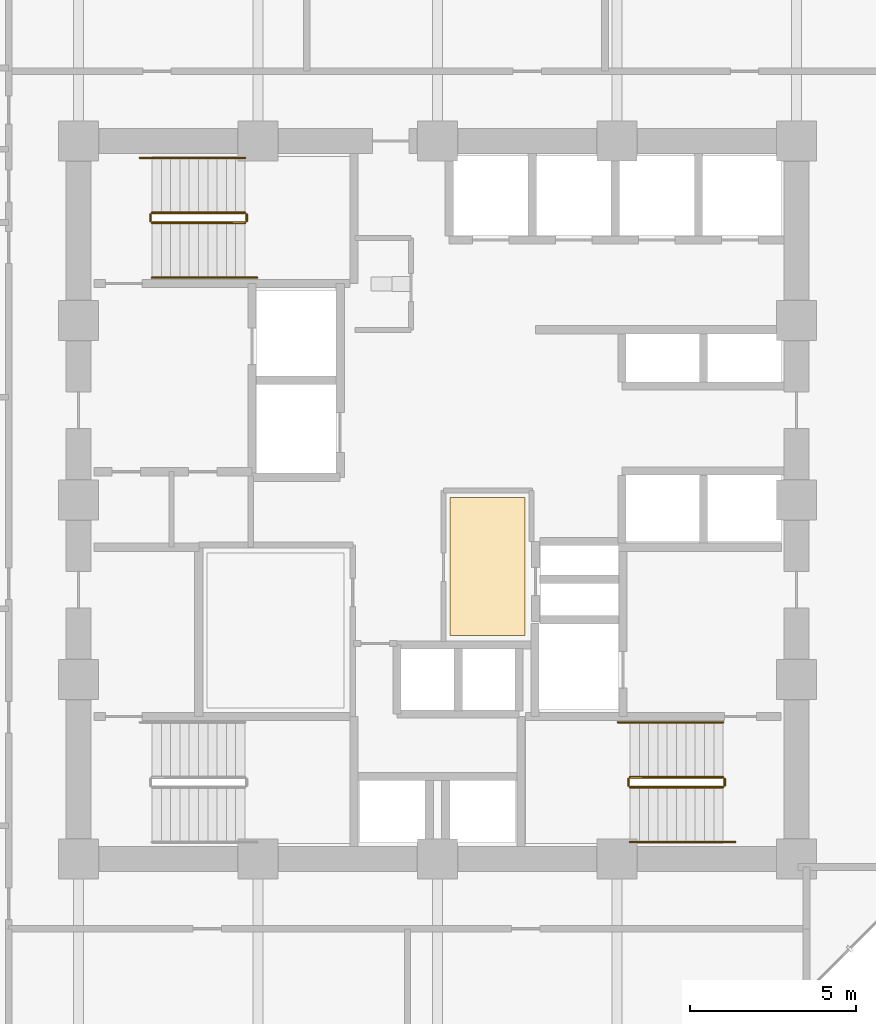
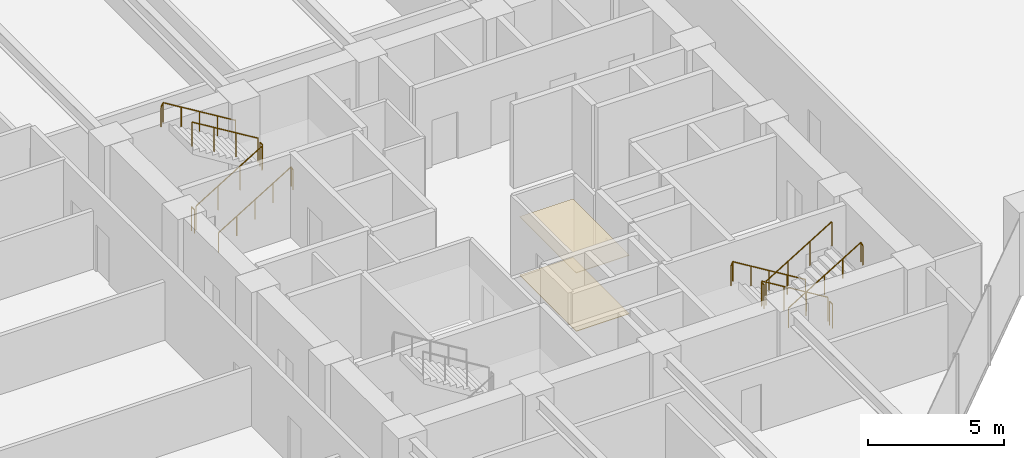
# One storey, part 24 of 26: 12 railings, 2 coverings.
"""IFC4 building model written with IfcOpenShell, lengths in metres."""

from ifc_helpers import new_model, si_unit, direction, frame, origin, origin_2d, place, context, subcontext, project, spatial, polyline, circle, outline, extrude, material, layer, layer_set, type_object, element, save


model = new_model("IFC4")

# Units and contexts
model_context = context("Model", 3, precision=1e-05, world=origin(), true_north=direction((0.0, 1.0)))
body_context = subcontext(model_context, "Body", "Model", "MODEL_VIEW")
ifc_project = project(units=[si_unit("LENGTHUNIT", "METRE"), si_unit("AREAUNIT", "SQUARE_METRE"), si_unit("VOLUMEUNIT", "CUBIC_METRE"), si_unit("PLANEANGLEUNIT", "RADIAN"), si_unit("MASSUNIT", "GRAM", prefix="KILO")], contexts=[model_context])

# Site, building, storey
site_placement = place(None, origin())
site = spatial("IfcSite", under=ifc_project, at=site_placement, CompositionType="ELEMENT")
building_placement = place(site_placement, origin())
building = spatial("IfcBuilding", under=site, at=building_placement, Name="Surkhivell Harbour Commons", CompositionType="ELEMENT")
storey_placement = place(building_placement, frame((0.0, 0.0, 60.0)))
storey = spatial("IfcBuildingStorey", under=building, at=storey_placement, Name="L15", CompositionType="ELEMENT", Elevation=60.0)

# Coverings
ifc_material_1 = material(Name="Perforated acoustic mineral-fibre ceiling tile", Category="other")
ifc_layer_1 = layer(ifc_material_1, 0.02490234375)
ifc_layer_set_1 = layer_set([ifc_layer_1], Name="Perforated acoustic mineral-fibre ceiling tile")
covering_type_1 = type_object("IfcCoveringType", Name="COV-CEIL-AC", PredefinedType="CEILING", material=ifc_layer_set_1)
covering_1_placement = place(storey_placement, frame((0.0, 0.0, 2.617919921875)))
element("IfcCovering", 1, at=covering_1_placement, inside=storey, type_object=covering_type_1, Name="L15 Suspended Acoustic Ceiling 1", PredefinedType="CEILING", context=body_context, shape_type="SweptSolid", body=[
    extrude(outline(polyline([(0.3701171875, -4.080078125), (2.6298828125, -4.080078125), (2.6298828125, 0.080078125), (0.3701171875, 0.080078125), (0.3701171875, -4.080078125)])), origin(), (0.0, 0.0, 1.0), 0.025146484375),
])
ifc_material_2 = material(Name="Engineered acoustic oak timber flooring", Category="wood")
ifc_layer_2 = layer(ifc_material_2, 0.02001953125)
ifc_layer_set_2 = layer_set([ifc_layer_2], Name="Engineered acoustic oak timber flooring")
covering_type_2 = type_object("IfcCoveringType", Name="COV-FLR-TIM", PredefinedType="FLOORING", material=ifc_layer_set_2)
covering_2_placement = place(storey_placement, origin())
element("IfcCovering", 2, at=covering_2_placement, inside=storey, type_object=covering_type_2, Name="L15 Interior Floor Finish 1", PredefinedType="FLOORING", context=body_context, shape_type="SweptSolid", body=[
    extrude(outline(polyline([(0.3701171875, -4.080078125), (2.6298828125, -4.080078125), (2.6298828125, 0.080078125), (0.3701171875, 0.080078125), (0.3701171875, -4.080078125)])), origin(), (0.0, 0.0, 1.0), 0.02001953125),
])

# Railings
ifc_material_3 = material(Name="Galvanised and painted steel S355 guard rail", Category="steel")
railing_type_1 = type_object("IfcRailingType", Name="RAL-ST-GRD1100", PredefinedType="GUARDRAIL", material=ifc_material_3)
railing_1_placement = place(storey_placement, frame((-8.590087890625, 8.340087890625, 0.17041015625)))
element("IfcRailing", 3, at=railing_1_placement, inside=storey, type_object=railing_type_1, Name="L15 ST1 stair guard 1", PredefinedType="GUARDRAIL", context=body_context, shape_type="SweptSolid", body=[
    extrude(circle(Radius=0.02392578125, at=origin_2d()), frame((0.0, 0.0, 1.076171875), z_axis=(0.854169791009, 0.0, 0.51999420009), x_axis=(0.0, 1.0, 0.0)), (0.0, 0.0, 1.0), 3.278076171875),
    extrude(circle(Radius=0.02099609375, at=origin_2d()), origin(), (0.0, 0.0, 1.0), 1.052001953125),
    extrude(circle(Radius=0.02099609375, at=origin_2d()), frame((0.933349609375, 0.0, 0.568115234375)), (0.0, 0.0, 1.0), 1.052001953125),
    extrude(circle(Radius=0.02099609375, at=origin_2d()), frame((1.86669921875, 0.0, 1.136474609375)), (0.0, 0.0, 1.0), 1.052001953125),
    extrude(circle(Radius=0.02099609375, at=origin_2d()), frame((2.800048828125, 0.0, 1.70458984375)), (0.0, 0.0, 1.0), 1.052001953125),
])
railing_2_placement = place(storey_placement, frame((-5.739990234375, 8.389892578125, 1.875)))
element("IfcRailing", 4, at=railing_2_placement, inside=storey, type_object=railing_type_1, Name="L15 ST1 stair guard 2", PredefinedType="GUARDRAIL", context=body_context, shape_type="SweptSolid", body=[
    extrude(circle(Radius=0.02392578125, at=origin_2d()), frame((0.0, 0.0, 1.076171875), z_axis=(0.0, 1.0, 0.0), x_axis=(-1.0, 0.0, 0.0)), (0.0, 0.0, 1.0), 0.2001953125),
    extrude(circle(Radius=0.02099609375, at=origin_2d()), origin(), (0.0, 0.0, 1.0), 1.052001953125),
    extrude(circle(Radius=0.02099609375, at=origin_2d()), frame((0.0, 0.2001953125, 0.0)), (0.0, 0.0, 1.0), 1.052001953125),
])
railing_3_placement = place(storey_placement, frame((-5.7900390625, 8.639892578125, 2.04541015625)))
element("IfcRailing", 5, at=railing_3_placement, inside=storey, type_object=railing_type_1, Name="L15 ST1 stair guard 3", PredefinedType="GUARDRAIL", context=body_context, shape_type="SweptSolid", body=[
    extrude(circle(Radius=0.02392578125, at=origin_2d()), frame((0.0, 0.0, 1.076171875), z_axis=(-0.854169791009, 0.0, 0.51999420009), x_axis=(0.0, -1.0, 0.0)), (0.0, 0.0, 1.0), 3.278076171875),
    extrude(circle(Radius=0.02099609375, at=origin_2d()), origin(), (0.0, 0.0, 1.0), 1.052001953125),
    extrude(circle(Radius=0.02099609375, at=origin_2d()), frame((-0.933349609375, 0.0, 0.568115234375)), (0.0, 0.0, 1.0), 1.052001953125),
    extrude(circle(Radius=0.02099609375, at=origin_2d()), frame((-1.86669921875, 0.0, 1.136474609375)), (0.0, 0.0, 1.0), 1.052001953125),
    extrude(circle(Radius=0.02099609375, at=origin_2d()), frame((-2.800048828125, 0.0, 1.70458984375)), (0.0, 0.0, 1.0), 1.052001953125),
])
railing_4_placement = place(storey_placement, frame((-8.639892578125, 8.389892578125, 0.0)))
element("IfcRailing", 6, at=railing_4_placement, inside=storey, type_object=railing_type_1, Name="L15 ST1 stair guard 4", PredefinedType="GUARDRAIL", context=body_context, shape_type="SweptSolid", body=[
    extrude(circle(Radius=0.02392578125, at=origin_2d()), frame((0.0, 0.0, 1.076171875), z_axis=(0.0, 1.0, 0.0), x_axis=(-1.0, 0.0, 0.0)), (0.0, 0.0, 1.0), 0.2001953125),
    extrude(circle(Radius=0.02099609375, at=origin_2d()), origin(), (0.0, 0.0, 1.0), 1.052001953125),
    extrude(circle(Radius=0.02099609375, at=origin_2d()), frame((0.0, 0.2001953125, 0.0)), (0.0, 0.0, 1.0), 1.052001953125),
])
railing_5_placement = place(storey_placement, frame((8.590087890625, -8.340087890625, 0.17041015625)))
element("IfcRailing", 7, at=railing_5_placement, inside=storey, type_object=railing_type_1, Name="L15 ST2 stair guard 1", PredefinedType="GUARDRAIL", context=body_context, shape_type="SweptSolid", body=[
    extrude(circle(Radius=0.02392578125, at=origin_2d()), frame((0.0, 0.0, 1.076171875), z_axis=(-0.854169791009, 0.0, 0.51999420009), x_axis=(0.0, -1.0, 0.0)), (0.0, 0.0, 1.0), 3.278076171875),
    extrude(circle(Radius=0.02099609375, at=origin_2d()), origin(), (0.0, 0.0, 1.0), 1.052001953125),
    extrude(circle(Radius=0.02099609375, at=origin_2d()), frame((-0.933349609375, 0.0, 0.568115234375)), (0.0, 0.0, 1.0), 1.052001953125),
    extrude(circle(Radius=0.02099609375, at=origin_2d()), frame((-1.86669921875, 0.0, 1.136474609375)), (0.0, 0.0, 1.0), 1.052001953125),
    extrude(circle(Radius=0.02099609375, at=origin_2d()), frame((-2.800048828125, 0.0, 1.70458984375)), (0.0, 0.0, 1.0), 1.052001953125),
])
railing_6_placement = place(storey_placement, frame((5.739990234375, -8.389892578125, 1.875)))
element("IfcRailing", 8, at=railing_6_placement, inside=storey, type_object=railing_type_1, Name="L15 ST2 stair guard 2", PredefinedType="GUARDRAIL", context=body_context, shape_type="SweptSolid", body=[
    extrude(circle(Radius=0.02392578125, at=origin_2d()), frame((0.0, 0.0, 1.076171875), z_axis=(0.0, -1.0, 0.0), x_axis=(1.0, 0.0, 0.0)), (0.0, 0.0, 1.0), 0.2001953125),
    extrude(circle(Radius=0.02099609375, at=origin_2d()), origin(), (0.0, 0.0, 1.0), 1.052001953125),
    extrude(circle(Radius=0.02099609375, at=origin_2d()), frame((0.0, -0.2001953125, 0.0)), (0.0, 0.0, 1.0), 1.052001953125),
])
railing_7_placement = place(storey_placement, frame((5.7900390625, -8.639892578125, 2.04541015625)))
element("IfcRailing", 9, at=railing_7_placement, inside=storey, type_object=railing_type_1, Name="L15 ST2 stair guard 3", PredefinedType="GUARDRAIL", context=body_context, shape_type="SweptSolid", body=[
    extrude(circle(Radius=0.02392578125, at=origin_2d()), frame((0.0, 0.0, 1.076171875), z_axis=(0.854169791009, 0.0, 0.51999420009), x_axis=(0.0, 1.0, 0.0)), (0.0, 0.0, 1.0), 3.278076171875),
    extrude(circle(Radius=0.02099609375, at=origin_2d()), origin(), (0.0, 0.0, 1.0), 1.052001953125),
    extrude(circle(Radius=0.02099609375, at=origin_2d()), frame((0.933349609375, 0.0, 0.568115234375)), (0.0, 0.0, 1.0), 1.052001953125),
    extrude(circle(Radius=0.02099609375, at=origin_2d()), frame((1.86669921875, 0.0, 1.136474609375)), (0.0, 0.0, 1.0), 1.052001953125),
    extrude(circle(Radius=0.02099609375, at=origin_2d()), frame((2.800048828125, 0.0, 1.70458984375)), (0.0, 0.0, 1.0), 1.052001953125),
])
railing_8_placement = place(storey_placement, frame((8.639892578125, -8.389892578125, 0.0)))
element("IfcRailing", 10, at=railing_8_placement, inside=storey, type_object=railing_type_1, Name="L15 ST2 stair guard 4", PredefinedType="GUARDRAIL", context=body_context, shape_type="SweptSolid", body=[
    extrude(circle(Radius=0.02392578125, at=origin_2d()), frame((0.0, 0.0, 1.076171875), z_axis=(0.0, -1.0, 0.0), x_axis=(1.0, 0.0, 0.0)), (0.0, 0.0, 1.0), 0.2001953125),
    extrude(circle(Radius=0.02099609375, at=origin_2d()), origin(), (0.0, 0.0, 1.0), 1.052001953125),
    extrude(circle(Radius=0.02099609375, at=origin_2d()), frame((0.0, -0.2001953125, 0.0)), (0.0, 0.0, 1.0), 1.052001953125),
])
ifc_material_4 = material(Name="Brushed stainless steel S355 handrail", Category="steel")
railing_type_2 = type_object("IfcRailingType", Name="RAL-ST-HND900", PredefinedType="HANDRAIL", material=ifc_material_4)
railing_9_placement = place(storey_placement, frame((-8.590087890625, 6.68994140625, 0.17041015625)))
element("IfcRailing", 11, at=railing_9_placement, inside=storey, type_object=railing_type_2, Name="L15 ST1 stair handrail 1", PredefinedType="HANDRAIL", context=body_context, shape_type="SweptSolid", body=[
    extrude(circle(Radius=0.02392578125, at=origin_2d()), frame((0.0, 0.0, 0.8759765625), z_axis=(0.854177636135, 0.0, 0.519981313056), x_axis=(0.0, 1.0, 0.0)), (0.0, 0.0, 1.0), 3.60595703125),
    extrude(circle(Radius=0.02392578125, at=origin_2d()), frame((3.080078125, 0.0, 2.7509765625), z_axis=(0.425297416671, 0.0, -0.905053648892), x_axis=(0.0, 1.0, 0.0)), (0.0, 0.0, 1.0), 0.188232421875),
    extrude(circle(Radius=0.02099609375, at=origin_2d()), origin(), (0.0, 0.0, 1.0), 0.851806640625),
    extrude(circle(Radius=0.02099609375, at=origin_2d()), frame((0.77001953125, 0.0, 0.46875)), (0.0, 0.0, 1.0), 0.851806640625),
    extrude(circle(Radius=0.02099609375, at=origin_2d()), frame((1.5400390625, 0.0, 0.9375)), (0.0, 0.0, 1.0), 0.851806640625),
    extrude(circle(Radius=0.02099609375, at=origin_2d()), frame((2.31005859375, 0.0, 1.40625)), (0.0, 0.0, 1.0), 0.851806640625),
    extrude(circle(Radius=0.02099609375, at=origin_2d()), frame((3.080078125, 0.0, 1.875)), (0.0, 0.0, 1.0), 0.851806640625),
    extrude(circle(Radius=0.02099609375, at=origin_2d()), frame((3.16015625, 0.0, 1.70458984375)), (0.0, 0.0, 1.0), 0.851806640625),
])
railing_10_placement = place(storey_placement, frame((-5.7900390625, 10.2900390625, 2.04541015625)))
element("IfcRailing", 12, at=railing_10_placement, inside=storey, type_object=railing_type_2, Name="L15 ST1 stair handrail 2", PredefinedType="HANDRAIL", context=body_context, shape_type="SweptSolid", body=[
    extrude(circle(Radius=0.02392578125, at=origin_2d()), frame((0.0, 0.0, 0.8759765625), z_axis=(-0.854177636135, 0.0, 0.519981313056), x_axis=(0.0, -1.0, 0.0)), (0.0, 0.0, 1.0), 3.60595703125),
    extrude(circle(Radius=0.02392578125, at=origin_2d()), frame((-3.080078125, 0.0, 2.7509765625), z_axis=(-0.424234432967, 0.0, -0.905552398199), x_axis=(0.0, -1.0, 0.0)), (0.0, 0.0, 1.0), 0.188232421875),
    extrude(circle(Radius=0.02099609375, at=origin_2d()), origin(), (0.0, 0.0, 1.0), 0.851806640625),
    extrude(circle(Radius=0.02099609375, at=origin_2d()), frame((-0.77001953125, 0.0, 0.46875)), (0.0, 0.0, 1.0), 0.851806640625),
    extrude(circle(Radius=0.02099609375, at=origin_2d()), frame((-1.5400390625, 0.0, 0.9375)), (0.0, 0.0, 1.0), 0.851806640625),
    extrude(circle(Radius=0.02099609375, at=origin_2d()), frame((-2.31005859375, 0.0, 1.40625)), (0.0, 0.0, 1.0), 0.851806640625),
    extrude(circle(Radius=0.02099609375, at=origin_2d()), frame((-3.080078125, 0.0, 1.875)), (0.0, 0.0, 1.0), 0.851806640625),
    extrude(circle(Radius=0.02099609375, at=origin_2d()), frame((-3.159912109375, 0.0, 1.70458984375)), (0.0, 0.0, 1.0), 0.851806640625),
])
railing_11_placement = place(storey_placement, frame((8.590087890625, -6.68994140625, 0.17041015625)))
element("IfcRailing", 13, at=railing_11_placement, inside=storey, type_object=railing_type_2, Name="L15 ST2 stair handrail 1", PredefinedType="HANDRAIL", context=body_context, shape_type="SweptSolid", body=[
    extrude(circle(Radius=0.02392578125, at=origin_2d()), frame((0.0, 0.0, 0.8759765625), z_axis=(-0.854177636135, 0.0, 0.519981313056), x_axis=(0.0, -1.0, 0.0)), (0.0, 0.0, 1.0), 3.60595703125),
    extrude(circle(Radius=0.02392578125, at=origin_2d()), frame((-3.080078125, 0.0, 2.7509765625), z_axis=(-0.425297416671, 0.0, -0.905053648892), x_axis=(0.0, -1.0, 0.0)), (0.0, 0.0, 1.0), 0.188232421875),
    extrude(circle(Radius=0.02099609375, at=origin_2d()), origin(), (0.0, 0.0, 1.0), 0.851806640625),
    extrude(circle(Radius=0.02099609375, at=origin_2d()), frame((-0.77001953125, 0.0, 0.46875)), (0.0, 0.0, 1.0), 0.851806640625),
    extrude(circle(Radius=0.02099609375, at=origin_2d()), frame((-1.5400390625, 0.0, 0.9375)), (0.0, 0.0, 1.0), 0.851806640625),
    extrude(circle(Radius=0.02099609375, at=origin_2d()), frame((-2.31005859375, 0.0, 1.40625)), (0.0, 0.0, 1.0), 0.851806640625),
    extrude(circle(Radius=0.02099609375, at=origin_2d()), frame((-3.080078125, 0.0, 1.875)), (0.0, 0.0, 1.0), 0.851806640625),
    extrude(circle(Radius=0.02099609375, at=origin_2d()), frame((-3.16015625, 0.0, 1.70458984375)), (0.0, 0.0, 1.0), 0.851806640625),
])
railing_12_placement = place(storey_placement, frame((5.7900390625, -10.2900390625, 2.04541015625)))
element("IfcRailing", 14, at=railing_12_placement, inside=storey, type_object=railing_type_2, Name="L15 ST2 stair handrail 2", PredefinedType="HANDRAIL", context=body_context, shape_type="SweptSolid", body=[
    extrude(circle(Radius=0.02392578125, at=origin_2d()), frame((0.0, 0.0, 0.8759765625), z_axis=(0.854177636135, 0.0, 0.519981313056), x_axis=(0.0, 1.0, 0.0)), (0.0, 0.0, 1.0), 3.60595703125),
    extrude(circle(Radius=0.02392578125, at=origin_2d()), frame((3.080078125, 0.0, 2.7509765625), z_axis=(0.424234432967, 0.0, -0.905552398199), x_axis=(0.0, 1.0, 0.0)), (0.0, 0.0, 1.0), 0.188232421875),
    extrude(circle(Radius=0.02099609375, at=origin_2d()), origin(), (0.0, 0.0, 1.0), 0.851806640625),
    extrude(circle(Radius=0.02099609375, at=origin_2d()), frame((0.77001953125, 0.0, 0.46875)), (0.0, 0.0, 1.0), 0.851806640625),
    extrude(circle(Radius=0.02099609375, at=origin_2d()), frame((1.5400390625, 0.0, 0.9375)), (0.0, 0.0, 1.0), 0.851806640625),
    extrude(circle(Radius=0.02099609375, at=origin_2d()), frame((2.31005859375, 0.0, 1.40625)), (0.0, 0.0, 1.0), 0.851806640625),
    extrude(circle(Radius=0.02099609375, at=origin_2d()), frame((3.080078125, 0.0, 1.875)), (0.0, 0.0, 1.0), 0.851806640625),
    extrude(circle(Radius=0.02099609375, at=origin_2d()), frame((3.159912109375, 0.0, 1.70458984375)), (0.0, 0.0, 1.0), 0.851806640625),
])

save(model, "model.ifc")
